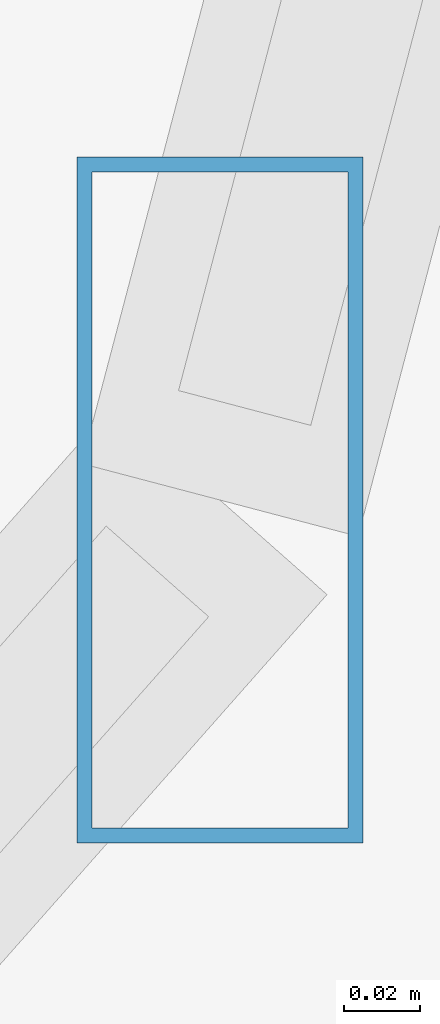
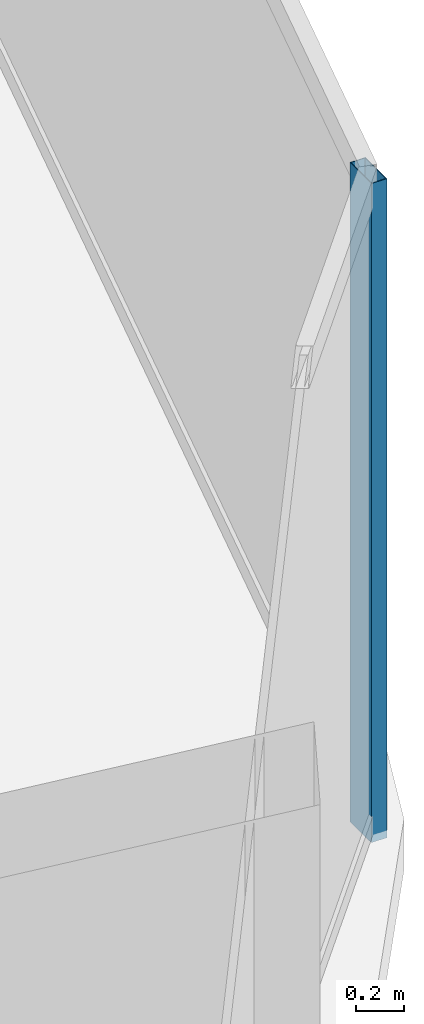
# One storey, part 13 of 31: 1 member, 1 element without a shape of its own.
"""IFC4 building model written with IfcOpenShell, lengths in metres."""

from ifc_helpers import new_model, si_unit, direction, frame, origin, origin_2d, place, context, subcontext, project, spatial, hollow_rectangle, extrude, material, material_profile, profile_set, type_object, element, aggregate, save


model = new_model("IFC4")

# Units and contexts
model_context = context("Model", 3, precision=1e-05, world=origin(), true_north=direction((0.0, 1.0)))
body_context = subcontext(model_context, "Body", "Model", "MODEL_VIEW")
ifc_project = project(units=[si_unit("LENGTHUNIT", "METRE"), si_unit("AREAUNIT", "SQUARE_METRE"), si_unit("VOLUMEUNIT", "CUBIC_METRE"), si_unit("PLANEANGLEUNIT", "RADIAN"), si_unit("MASSUNIT", "GRAM", prefix="KILO")], contexts=[model_context])

# Site, building, storey
site_placement = place(None, origin())
site = spatial("IfcSite", under=ifc_project, at=site_placement, CompositionType="ELEMENT")
building_placement = place(site_placement, origin())
building = spatial("IfcBuilding", under=site, at=building_placement, Name="Vorneva Point Tower", CompositionType="ELEMENT")
storey_placement = place(building_placement, frame((0.0, 0.0, 244.89990234375)))
storey = spatial("IfcBuildingStorey", under=building, at=storey_placement, Name="L66", CompositionType="ELEMENT", Elevation=244.89990234375)

# Curtain wall, member
ifc_material = material(Name="Pale anodised aluminium", Category="aluminium")
curtain_wall_type = type_object("IfcCurtainWallType", Name="CW-RES-SYS", PredefinedType="NOTDEFINED", material=ifc_material)
curtain_wall_placement = place(storey_placement, origin())
curtain_wall = element("IfcCurtainWall", 1, at=curtain_wall_placement, inside=storey, type_object=curtain_wall_type, Name="L66 Unitised Curtain Wall CW-L66-R01", PredefinedType="NOTDEFINED")
ifc_material_profile = material_profile(ifc_material, hollow_rectangle(XDim=0.074951171875, YDim=0.179931640625, WallThickness=0.00390625, at=origin_2d()), Name="AL-MUL 180x75x4")
ifc_profile_set = profile_set([ifc_material_profile], Name="Pale anodised aluminium")
member_type = type_object("IfcMemberType", Name="CW-MUL-180", PredefinedType="MULLION", material=ifc_profile_set)
member_placement = place(storey_placement, frame((62.20556640625, 18.4189453125, -0.039794921875), z_axis=(0.0, 0.0, 1.0), x_axis=(1.0, 0.0, 0.0)))
member = element("IfcMember", 2, at=member_placement, type_object=member_type, Name="CW-L66-R01 Mullion 02", PredefinedType="MULLION", context=body_context, shape_type="SweptSolid", body=[
    extrude(hollow_rectangle(XDim=0.074951171875, YDim=0.179931640625, WallThickness=0.00390625, at=origin_2d()), origin(), (0.0, 0.0, 1.0), 3.35986328125),
])
aggregate(curtain_wall, [member])

save(model, "model.ifc")
